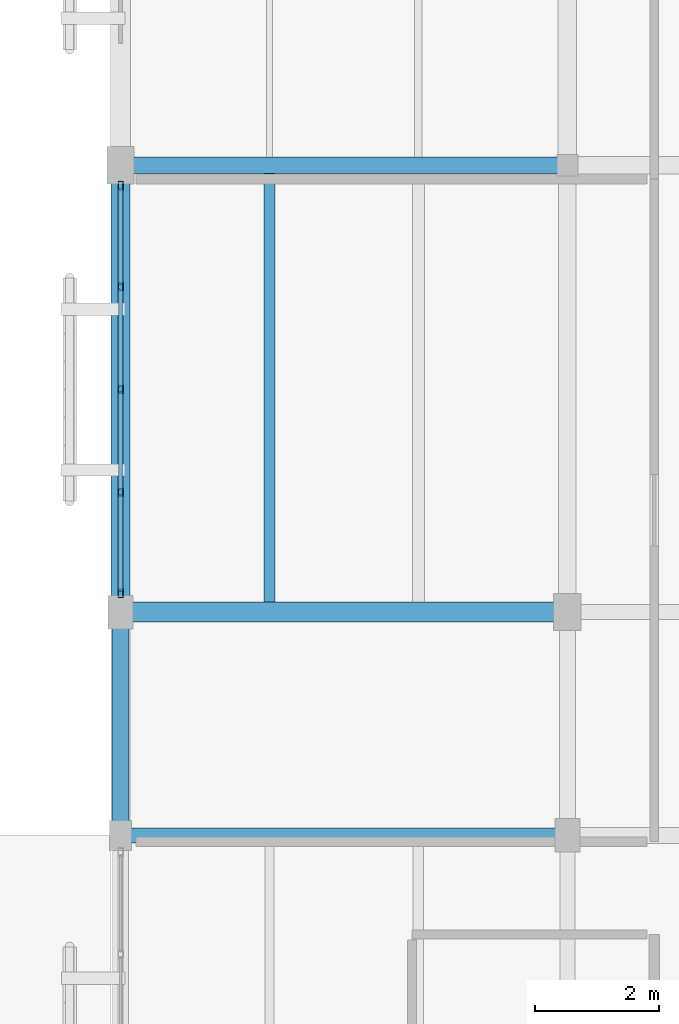
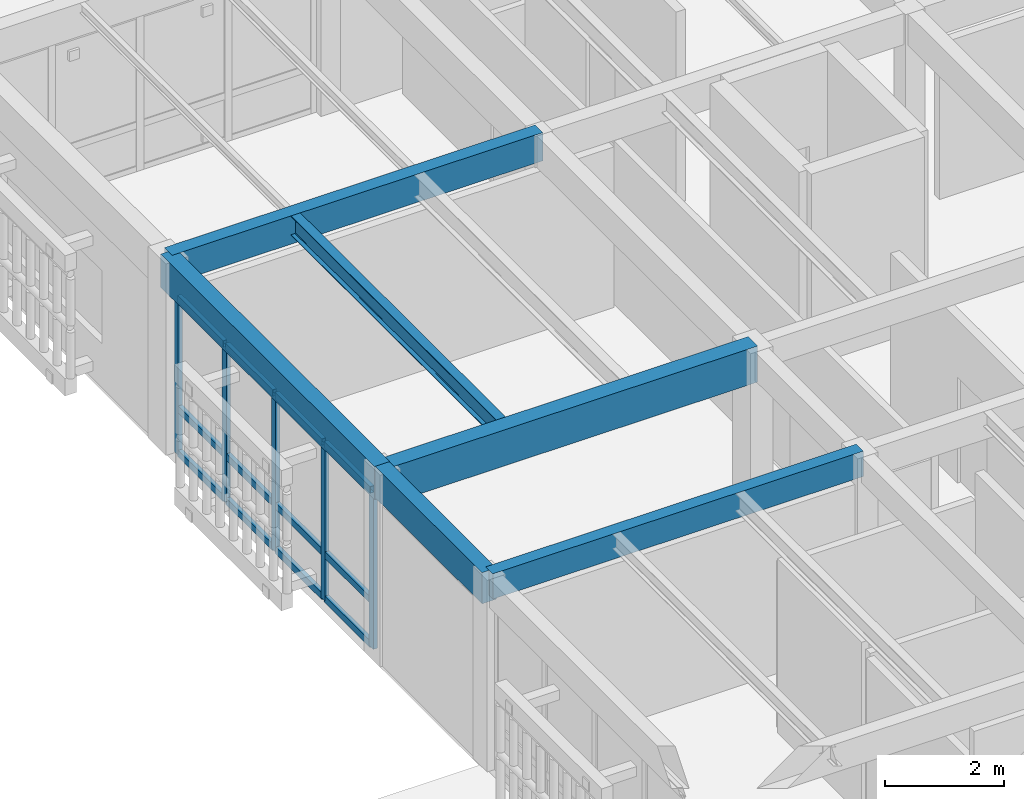
# One storey, part 51 of 112: 17 members, 6 beams, 1 element without a shape of its own.
"""IFC4 building model written with IfcOpenShell, lengths in metres."""

import ifcopenshell
import ifcopenshell.guid

model = None  # the IFC model being written
_history = None  # IfcOwnerHistory: only IFC2X3 demands one
_inside = {}  # id of a spatial element -> (the spatial element, [elements in it])
_under = {}  # id of a project, library or spatial element -> (it, [spatial elements below it])
_declared = {}  # id of a project -> (the project, [libraries it declares])
_typed = {}  # id of a type object -> (the type object, [elements of that type])
_made_of = {}  # id of a material, layer set ... -> (it, [elements and type objects made of it])


def new_model(schema):
    """Start an empty IFC model of exactly this schema.

    Asked for "IFC4X3", IfcOpenShell would pick the latest addendum, in which some entities
    have other attributes; the version numbers below select the first issue.
    IFC2X3 requires an IfcOwnerHistory on every rooted entity: one is made here for all.
    """
    global model, _history
    if schema == "IFC4X3":
        model = ifcopenshell.file(schema_version=(4, 3, 0, 0))
    else:
        model = ifcopenshell.file(schema=schema)
    _inside.clear()
    _under.clear()
    _declared.clear()
    _typed.clear()
    _made_of.clear()
    _history = None
    if model.schema == "IFC2X3":
        org = make("IfcOrganization", Name="unknown")
        user = make(
            "IfcPersonAndOrganization",
            ThePerson=make("IfcPerson", FamilyName="unknown"),
            TheOrganization=org,
        )
        app = make(
            "IfcApplication",
            ApplicationDeveloper=org,
            Version="unknown",
            ApplicationFullName="unknown",
            ApplicationIdentifier="unknown",
        )
        _history = make(
            "IfcOwnerHistory",
            OwningUser=user,
            OwningApplication=app,
            ChangeAction="ADDED",
            CreationDate=0,
        )
    return model


def make(cls, **values):
    """One entity of the class cls with the attributes given. An attribute that is None is left unset."""
    return model.create_entity(
        cls, **{name: value for name, value in values.items() if value is not None}
    )


def rooted(cls, **values):
    """An entity with a GlobalId (a new one), such as an element, a storey or a relation."""
    return make(cls, GlobalId=ifcopenshell.guid.new(), OwnerHistory=_history, **values)


def si_unit(unit_type, name, prefix=None):
    """IfcSIUnit, for example si_unit("LENGTHUNIT", "METRE", prefix="MILLI")."""
    return make("IfcSIUnit", UnitType=unit_type, Prefix=prefix, Name=name)


def assignment(units):
    """IfcUnitAssignment: the units of a project."""
    return None if units is None else make("IfcUnitAssignment", Units=units)


def point(xyz):
    """IfcCartesianPoint."""
    return None if xyz is None else make("IfcCartesianPoint", Coordinates=xyz)


def direction(xyz):
    """IfcDirection."""
    return None if xyz is None else make("IfcDirection", DirectionRatios=xyz)


def frame(location, z_axis=None, x_axis=None):
    """IfcAxis2Placement3D, a coordinate frame: its origin and axes. An axis left out is left unset."""
    return make(
        "IfcAxis2Placement3D",
        Location=point(location),
        Axis=direction(z_axis),
        RefDirection=direction(x_axis),
    )


def frame_2d(location, x_axis=None):
    """IfcAxis2Placement2D, a coordinate frame in the plane: its origin and x axis."""
    return make(
        "IfcAxis2Placement2D", Location=point(location), RefDirection=direction(x_axis)
    )


def origin():
    """The frame at (0, 0, 0) with its axes left unset."""
    return frame((0.0, 0.0, 0.0))


def origin_2d():
    """The frame at (0, 0) in the plane with its x axis left unset."""
    return frame_2d((0.0, 0.0))


def place(relative_to, where):
    """IfcLocalPlacement: puts the frame where relative to a parent placement (None: the world)."""
    return make(
        "IfcLocalPlacement", PlacementRelTo=relative_to, RelativePlacement=where
    )


def context(
    kind, dimensions, precision=None, world=None, true_north=None, identifier=None
):
    """IfcGeometricRepresentationContext, for example the 3D "Model" context."""
    return make(
        "IfcGeometricRepresentationContext",
        ContextIdentifier=identifier,
        ContextType=kind,
        CoordinateSpaceDimension=dimensions,
        Precision=precision,
        WorldCoordinateSystem=world,
        TrueNorth=true_north,
    )


def subcontext(parent, identifier, kind, view, scale=None):
    """IfcGeometricRepresentationSubContext, for example "Body" below "Model"."""
    return make(
        "IfcGeometricRepresentationSubContext",
        ContextIdentifier=identifier,
        ContextType=kind,
        ParentContext=parent,
        TargetScale=scale,
        TargetView=view,
    )


def project(units=None, contexts=None):
    """IfcProject with its units and contexts."""
    return rooted(
        "IfcProject",
        Name="project",
        RepresentationContexts=contexts,
        UnitsInContext=assignment(units),
    )


def spatial(cls, under=None, at=None, **own):
    """A site, building, storey or space (cls), placed at a placement, below another one or the project."""
    s = rooted(cls, ObjectPlacement=at, **own)
    if under is not None:
        _under.setdefault(under.id(), (under, []))[1].append(s)
    return s


def profile(cls, at=None, kind="AREA", **sizes):
    """A parametric profile (cls). Its sizes go by their IFC names, for example OverallWidth=200.0."""
    return make(cls, ProfileType=kind, Position=at, **sizes)


def rectangle(**sizes):
    """IfcRectangleProfileDef."""
    return profile("IfcRectangleProfileDef", **sizes)


def hollow_rectangle(**sizes):
    """IfcRectangleHollowProfileDef."""
    return profile("IfcRectangleHollowProfileDef", **sizes)


def i_section(**sizes):
    """IfcIShapeProfileDef."""
    return profile("IfcIShapeProfileDef", **sizes)


def extrude(swept, where, along, depth):
    """IfcExtrudedAreaSolid: the profile swept, set in the frame where, extruded along a direction by depth."""
    return make(
        "IfcExtrudedAreaSolid",
        SweptArea=swept,
        Position=where,
        ExtrudedDirection=direction(along),
        Depth=depth,
    )


def shape(context_of_items, identifier, shape_type, items):
    """IfcShapeRepresentation: the items that make up one representation, for example the "Body"."""
    return make(
        "IfcShapeRepresentation",
        ContextOfItems=context_of_items,
        RepresentationIdentifier=identifier,
        RepresentationType=shape_type,
        Items=items,
    )


def material(Name=None, Category=None):
    """IfcMaterial."""
    return make("IfcMaterial", Name=Name, Category=Category)


def layer(
    of_material, thickness, ventilated=None, Name=None, Category=None, Priority=None
):
    """IfcMaterialLayer: one layer of a wall or slab, of a material (None: an air gap)."""
    return make(
        "IfcMaterialLayer",
        Material=of_material,
        LayerThickness=thickness,
        IsVentilated=ventilated,
        Name=Name,
        Category=Category,
        Priority=Priority,
    )


def layer_set(layers, Name=None):
    """IfcMaterialLayerSet."""
    return make("IfcMaterialLayerSet", MaterialLayers=layers, LayerSetName=Name)


def material_profile(
    of_material, cross_section, Name=None, Category=None, Priority=None
):
    """IfcMaterialProfile: a cross section and its material."""
    return make(
        "IfcMaterialProfile",
        Name=Name,
        Material=of_material,
        Profile=cross_section,
        Priority=Priority,
        Category=Category,
    )


def profile_set(profiles, Name=None, composite=None):
    """IfcMaterialProfileSet."""
    return make(
        "IfcMaterialProfileSet",
        Name=Name,
        MaterialProfiles=profiles,
        CompositeProfile=composite,
    )


def made_of(thing, what):
    """Note that an element or type object is made of a material, layer set ...; save() writes the relation."""
    if what is not None:
        _made_of.setdefault(what.id(), (what, []))[1].append(thing)
    return thing


def type_object(cls, material=None, **own):
    """A type object (cls), such as IfcWallType, which elements share."""
    return made_of(rooted(cls, **own), material)


def element(
    cls,
    number,
    at=None,
    inside=None,
    cuts=None,
    type_object=None,
    material=None,
    context=None,
    identifier="Body",
    shape_type=None,
    held_by="IfcProductDefinitionShape",
    body=None,
    shapes=None,
    **own,
):
    """One element of the class cls, such as IfcWall. Its Tag is "e" and its number.

    at: its placement. inside: the storey or other place that contains it. cuts: it is an
    opening in that element (IfcRelVoidsElement). A single representation is given by context,
    identifier, shape_type and body (its items); several are given by shapes. held_by: the class
    of the entity that holds the representations. save() writes the other relations.
    """
    e = rooted(cls, Tag="e%d" % number, ObjectPlacement=at, **own)
    if body is not None:
        shapes = [shape(context, identifier, shape_type, body)]
    if shapes is not None:
        e.Representation = make(held_by, Representations=shapes)
    if inside is not None:
        _inside.setdefault(inside.id(), (inside, []))[1].append(e)
    if cuts is not None:
        rooted(
            "IfcRelVoidsElement", RelatingBuildingElement=cuts, RelatedOpeningElement=e
        )
    if type_object is not None:
        _typed.setdefault(type_object.id(), (type_object, []))[1].append(e)
    return made_of(e, material)


def aggregate(whole, parts):
    """IfcRelAggregates: a whole, such as a stair, and the parts it consists of."""
    return rooted("IfcRelAggregates", RelatingObject=whole, RelatedObjects=parts)


def save(model, path):
    """Write the relations noted so far, then the file.

    IfcRelAggregates (storeys below a building ...), IfcRelContainedInSpatialStructure (elements
    in a storey), IfcRelDefinesByType, IfcRelAssociatesMaterial and IfcRelDeclares: one each for
    every whole, place, type object, material and project.
    """
    for whole, parts in _under.values():
        aggregate(whole, parts)
    for where, things in _inside.values():
        rooted(
            "IfcRelContainedInSpatialStructure",
            RelatedElements=things,
            RelatingStructure=where,
        )
    for kind, things in _typed.values():
        rooted("IfcRelDefinesByType", RelatedObjects=things, RelatingType=kind)
    for what, things in _made_of.values():
        rooted("IfcRelAssociatesMaterial", RelatedObjects=things, RelatingMaterial=what)
    for by, libraries in _declared.values():
        rooted("IfcRelDeclares", RelatingContext=by, RelatedDefinitions=libraries)
    model.write(path)


model = new_model("IFC4")

# Units and contexts
model_context = context("Model", 3, precision=1e-05, world=origin(), true_north=direction((0.0, 1.0)))
body_context = subcontext(model_context, "Body", "Model", "MODEL_VIEW")
ifc_project = project(units=[si_unit("LENGTHUNIT", "METRE"), si_unit("AREAUNIT", "SQUARE_METRE"), si_unit("VOLUMEUNIT", "CUBIC_METRE"), si_unit("PLANEANGLEUNIT", "RADIAN"), si_unit("MASSUNIT", "GRAM", prefix="KILO")], contexts=[model_context])

# Site, building, storey
site_placement = place(None, origin())
site = spatial("IfcSite", under=ifc_project, at=site_placement, CompositionType="ELEMENT")
building_placement = place(site_placement, origin())
building = spatial("IfcBuilding", under=site, at=building_placement, Name="Mazaris Harbour Polytechnic", CompositionType="ELEMENT")
storey_placement = place(building_placement, frame((0.0, 0.0, 13.800048828125)))
storey = spatial("IfcBuildingStorey", under=building, at=storey_placement, Name="L03", CompositionType="ELEMENT", Elevation=13.800048828125)

# Curtain wall, members
ifc_material_1 = material(Name="Anodised Bronze Aluminium and Low-E Glass", Category="aluminium")
ifc_layer = layer(ifc_material_1, 0.169921875, Name="Anodised Bronze Aluminium and Low-E Glass")
ifc_layer_set = layer_set([ifc_layer], Name="Anodised Bronze Aluminium and Low-E Glass")
curtain_wall_type = type_object("IfcCurtainWallType", Name="Studio North-Light Curtain Wall", PredefinedType="NOTDEFINED", material=ifc_layer_set)
curtain_wall_placement = place(storey_placement, origin())
curtain_wall = element("IfcCurtainWall", 1, at=curtain_wall_placement, inside=storey, type_object=curtain_wall_type, Name="V5 L03 Curtain Wall 256", PredefinedType="NOTDEFINED")
ifc_material_2 = material(Name="Anodised Bronze Steel S355", Category="steel")
ifc_material_profile_1 = material_profile(ifc_material_2, hollow_rectangle(XDim=0.080078125, YDim=0.139892578125, WallThickness=0.00634765625, at=origin_2d()), Name="RHS 80x140x6.3")
ifc_profile_set_1 = profile_set([ifc_material_profile_1], Name="Anodised Bronze Steel S355")
member_type_1 = type_object("IfcMemberType", Name="Curtain Mullion RHS80x140", PredefinedType="MULLION", material=ifc_profile_set_1)
member_1_placement = place(storey_placement, frame((122.39990234375, 86.701904296875, 0.0), z_axis=(0.0, 0.0, 1.0), x_axis=(-1.0, 0.0, 0.0)))
member_1 = element("IfcMember", 2, at=member_1_placement, type_object=member_type_1, Name="CW-03 mullion 1", PredefinedType="MULLION", context=body_context, shape_type="SweptSolid", body=[
    extrude(hollow_rectangle(XDim=0.080078125, YDim=0.139892578125, WallThickness=0.00634765625, at=origin_2d()), origin(), (0.0, 0.0, 1.0), 3.244873046875),
])
member_2_placement = place(storey_placement, frame((122.39990234375, 88.323486328125, 0.0), z_axis=(0.0, 0.0, 1.0), x_axis=(-1.0, 0.0, 0.0)))
member_2 = element("IfcMember", 3, at=member_2_placement, type_object=member_type_1, Name="CW-03 mullion 2", PredefinedType="MULLION", context=body_context, shape_type="SweptSolid", body=[
    extrude(hollow_rectangle(XDim=0.080078125, YDim=0.139892578125, WallThickness=0.00634765625, at=origin_2d()), origin(), (0.0, 0.0, 1.0), 3.244873046875),
])
member_3_placement = place(storey_placement, frame((122.39990234375, 89.985107421875, 0.0), z_axis=(0.0, 0.0, 1.0), x_axis=(-1.0, 0.0, 0.0)))
member_3 = element("IfcMember", 4, at=member_3_placement, type_object=member_type_1, Name="CW-03 mullion 3", PredefinedType="MULLION", context=body_context, shape_type="SweptSolid", body=[
    extrude(hollow_rectangle(XDim=0.080078125, YDim=0.139892578125, WallThickness=0.00634765625, at=origin_2d()), origin(), (0.0, 0.0, 1.0), 3.244873046875),
])
member_4_placement = place(storey_placement, frame((122.39990234375, 91.646484375, 0.0), z_axis=(0.0, 0.0, 1.0), x_axis=(-1.0, 0.0, 0.0)))
member_4 = element("IfcMember", 5, at=member_4_placement, type_object=member_type_1, Name="CW-03 mullion 4", PredefinedType="MULLION", context=body_context, shape_type="SweptSolid", body=[
    extrude(hollow_rectangle(XDim=0.080078125, YDim=0.139892578125, WallThickness=0.00634765625, at=origin_2d()), origin(), (0.0, 0.0, 1.0), 3.244873046875),
])
member_5_placement = place(storey_placement, frame((122.39990234375, 93.26806640625, 0.0), z_axis=(0.0, 0.0, 1.0), x_axis=(-1.0, 0.0, 0.0)))
member_5 = element("IfcMember", 6, at=member_5_placement, type_object=member_type_1, Name="CW-03 mullion 5", PredefinedType="MULLION", context=body_context, shape_type="SweptSolid", body=[
    extrude(hollow_rectangle(XDim=0.080078125, YDim=0.139892578125, WallThickness=0.00634765625, at=origin_2d()), origin(), (0.0, 0.0, 1.0), 3.244873046875),
])
ifc_material_3 = material(Name="Anodised Bronze Steel S355", Category="steel")
ifc_material_profile_2 = material_profile(ifc_material_3, hollow_rectangle(XDim=0.080078125, YDim=0.139892578125, WallThickness=0.00634765625, at=origin_2d()), Name="RHS 80x140x6.3")
ifc_profile_set_2 = profile_set([ifc_material_profile_2], Name="Anodised Bronze Steel S355")
member_type_2 = type_object("IfcMemberType", Name="Curtain Transom RHS80x140", PredefinedType="USERDEFINED", material=ifc_profile_set_2)
member_6_placement = place(storey_placement, frame((122.39990234375, 86.741943359375, 0.0400390625), z_axis=(0.0, 1.0, 0.0), x_axis=(-1.0, 0.0, 0.0)))
member_6 = element("IfcMember", 7, at=member_6_placement, type_object=member_type_2, Name="CW-03 transom 1.1", ObjectType="TRANSOM", PredefinedType="USERDEFINED", context=body_context, shape_type="SweptSolid", body=[
    extrude(hollow_rectangle(XDim=0.080078125, YDim=0.139892578125, WallThickness=0.00634765625, at=origin_2d()), origin(), (0.0, 0.0, 1.0), 1.54150390625),
])
member_7_placement = place(storey_placement, frame((122.39990234375, 86.741943359375, 0.949951171875), z_axis=(0.0, 1.0, 0.0), x_axis=(-1.0, 0.0, 0.0)))
member_7 = element("IfcMember", 8, at=member_7_placement, type_object=member_type_2, Name="CW-03 transom 1.2", ObjectType="TRANSOM", PredefinedType="USERDEFINED", context=body_context, shape_type="SweptSolid", body=[
    extrude(hollow_rectangle(XDim=0.080078125, YDim=0.139892578125, WallThickness=0.00634765625, at=origin_2d()), origin(), (0.0, 0.0, 1.0), 1.54150390625),
])
member_8_placement = place(storey_placement, frame((122.39990234375, 86.741943359375, 3.204833984375), z_axis=(0.0, 1.0, 0.0), x_axis=(-1.0, 0.0, 0.0)))
member_8 = element("IfcMember", 9, at=member_8_placement, type_object=member_type_2, Name="CW-03 transom 1.3", ObjectType="TRANSOM", PredefinedType="USERDEFINED", context=body_context, shape_type="SweptSolid", body=[
    extrude(hollow_rectangle(XDim=0.080078125, YDim=0.139892578125, WallThickness=0.00634765625, at=origin_2d()), origin(), (0.0, 0.0, 1.0), 1.54150390625),
])
member_9_placement = place(storey_placement, frame((122.39990234375, 88.363525390625, 0.0400390625), z_axis=(0.0, 1.0, 0.0), x_axis=(-1.0, 0.0, 0.0)))
member_9 = element("IfcMember", 10, at=member_9_placement, type_object=member_type_2, Name="CW-03 transom 2.1", ObjectType="TRANSOM", PredefinedType="USERDEFINED", context=body_context, shape_type="SweptSolid", body=[
    extrude(hollow_rectangle(XDim=0.080078125, YDim=0.139892578125, WallThickness=0.00634765625, at=origin_2d()), origin(), (0.0, 0.0, 1.0), 1.58154296875),
])
member_10_placement = place(storey_placement, frame((122.39990234375, 88.363525390625, 0.949951171875), z_axis=(0.0, 1.0, 0.0), x_axis=(-1.0, 0.0, 0.0)))
member_10 = element("IfcMember", 11, at=member_10_placement, type_object=member_type_2, Name="CW-03 transom 2.2", ObjectType="TRANSOM", PredefinedType="USERDEFINED", context=body_context, shape_type="SweptSolid", body=[
    extrude(hollow_rectangle(XDim=0.080078125, YDim=0.139892578125, WallThickness=0.00634765625, at=origin_2d()), origin(), (0.0, 0.0, 1.0), 1.58154296875),
])
member_11_placement = place(storey_placement, frame((122.39990234375, 88.363525390625, 3.204833984375), z_axis=(0.0, 1.0, 0.0), x_axis=(-1.0, 0.0, 0.0)))
member_11 = element("IfcMember", 12, at=member_11_placement, type_object=member_type_2, Name="CW-03 transom 2.3", ObjectType="TRANSOM", PredefinedType="USERDEFINED", context=body_context, shape_type="SweptSolid", body=[
    extrude(hollow_rectangle(XDim=0.080078125, YDim=0.139892578125, WallThickness=0.00634765625, at=origin_2d()), origin(), (0.0, 0.0, 1.0), 1.58154296875),
])
member_12_placement = place(storey_placement, frame((122.39990234375, 90.02490234375, 0.0400390625), z_axis=(0.0, 1.0, 0.0), x_axis=(-1.0, 0.0, 0.0)))
member_12 = element("IfcMember", 13, at=member_12_placement, type_object=member_type_2, Name="CW-03 transom 3.1", ObjectType="TRANSOM", PredefinedType="USERDEFINED", context=body_context, shape_type="SweptSolid", body=[
    extrude(hollow_rectangle(XDim=0.080078125, YDim=0.139892578125, WallThickness=0.00634765625, at=origin_2d()), origin(), (0.0, 0.0, 1.0), 1.58154296875),
])
member_13_placement = place(storey_placement, frame((122.39990234375, 90.02490234375, 0.949951171875), z_axis=(0.0, 1.0, 0.0), x_axis=(-1.0, 0.0, 0.0)))
member_13 = element("IfcMember", 14, at=member_13_placement, type_object=member_type_2, Name="CW-03 transom 3.2", ObjectType="TRANSOM", PredefinedType="USERDEFINED", context=body_context, shape_type="SweptSolid", body=[
    extrude(hollow_rectangle(XDim=0.080078125, YDim=0.139892578125, WallThickness=0.00634765625, at=origin_2d()), origin(), (0.0, 0.0, 1.0), 1.58154296875),
])
member_14_placement = place(storey_placement, frame((122.39990234375, 90.02490234375, 3.204833984375), z_axis=(0.0, 1.0, 0.0), x_axis=(-1.0, 0.0, 0.0)))
member_14 = element("IfcMember", 15, at=member_14_placement, type_object=member_type_2, Name="CW-03 transom 3.3", ObjectType="TRANSOM", PredefinedType="USERDEFINED", context=body_context, shape_type="SweptSolid", body=[
    extrude(hollow_rectangle(XDim=0.080078125, YDim=0.139892578125, WallThickness=0.00634765625, at=origin_2d()), origin(), (0.0, 0.0, 1.0), 1.58154296875),
])
member_15_placement = place(storey_placement, frame((122.39990234375, 91.6865234375, 0.0400390625), z_axis=(0.0, 1.0, 0.0), x_axis=(-1.0, 0.0, 0.0)))
member_15 = element("IfcMember", 16, at=member_15_placement, type_object=member_type_2, Name="CW-03 transom 4.1", ObjectType="TRANSOM", PredefinedType="USERDEFINED", context=body_context, shape_type="SweptSolid", body=[
    extrude(hollow_rectangle(XDim=0.080078125, YDim=0.139892578125, WallThickness=0.00634765625, at=origin_2d()), origin(), (0.0, 0.0, 1.0), 1.54150390625),
])
member_16_placement = place(storey_placement, frame((122.39990234375, 91.6865234375, 0.949951171875), z_axis=(0.0, 1.0, 0.0), x_axis=(-1.0, 0.0, 0.0)))
member_16 = element("IfcMember", 17, at=member_16_placement, type_object=member_type_2, Name="CW-03 transom 4.2", ObjectType="TRANSOM", PredefinedType="USERDEFINED", context=body_context, shape_type="SweptSolid", body=[
    extrude(hollow_rectangle(XDim=0.080078125, YDim=0.139892578125, WallThickness=0.00634765625, at=origin_2d()), origin(), (0.0, 0.0, 1.0), 1.54150390625),
])
member_17_placement = place(storey_placement, frame((122.39990234375, 91.6865234375, 3.204833984375), z_axis=(0.0, 1.0, 0.0), x_axis=(-1.0, 0.0, 0.0)))
member_17 = element("IfcMember", 18, at=member_17_placement, type_object=member_type_2, Name="CW-03 transom 4.3", ObjectType="TRANSOM", PredefinedType="USERDEFINED", context=body_context, shape_type="SweptSolid", body=[
    extrude(hollow_rectangle(XDim=0.080078125, YDim=0.139892578125, WallThickness=0.00634765625, at=origin_2d()), origin(), (0.0, 0.0, 1.0), 1.54150390625),
])
aggregate(curtain_wall, [member_1, member_2, member_3, member_4, member_5, member_6, member_7, member_8, member_9, member_10, member_11, member_12, member_13, member_14, member_15, member_16, member_17])

# Beams
ifc_material_4 = material(Name="Glulam GL32h", Category="wood")
ifc_material_profile_3 = material_profile(ifc_material_4, rectangle(XDim=0.239990234375, YDim=0.52001953125, at=origin_2d()), Name="RECT240x520")
ifc_profile_set_3 = profile_set([ifc_material_profile_3], Name="Glulam GL32h")
beam_type_1 = type_object("IfcBeamType", Name="Glulam Girder 240x520", PredefinedType="BEAM", material=ifc_profile_set_3)
beam_1_placement = place(storey_placement, frame((122.39990234375, 82.800048828125, 3.675048828125), z_axis=(1.0, 0.0, 0.0), x_axis=(0.0, 1.0, 0.0)))
element("IfcBeam", 19, at=beam_1_placement, inside=storey, type_object=beam_type_1, Name="V5 L03 Girder 3305", PredefinedType="BEAM", context=body_context, shape_type="SweptSolid", body=[
    extrude(rectangle(XDim=0.239990234375, YDim=0.52001953125, at=origin_2d()), origin(), (0.0, 0.0, 1.0), 7.2001953125),
])
ifc_material_5 = material(Name="Glulam GL32h", Category="wood")
ifc_material_profile_4 = material_profile(ifc_material_5, rectangle(XDim=0.260009765625, YDim=0.580078125, at=origin_2d()), Name="RECT260x580")
ifc_profile_set_4 = profile_set([ifc_material_profile_4], Name="Glulam GL32h")
beam_type_2 = type_object("IfcBeamType", Name="Glulam Girder 260x580", PredefinedType="BEAM", material=ifc_profile_set_4)
beam_2_placement = place(storey_placement, frame((122.39990234375, 93.60009765625, 3.64501953125), z_axis=(1.0, 0.0, 0.0), x_axis=(0.0, 1.0, 0.0)))
element("IfcBeam", 20, at=beam_2_placement, inside=storey, type_object=beam_type_2, Name="V5 L03 Girder 3316", PredefinedType="BEAM", context=body_context, shape_type="SweptSolid", body=[
    extrude(rectangle(XDim=0.260009765625, YDim=0.580078125, at=origin_2d()), origin(), (0.0, 0.0, 1.0), 7.2001953125),
])
ifc_material_6 = material(Name="Glulam GL32h", Category="wood")
ifc_material_profile_5 = material_profile(ifc_material_6, rectangle(XDim=0.280029296875, YDim=0.639892578125, at=origin_2d()), Name="RECT280x640")
ifc_profile_set_5 = profile_set([ifc_material_profile_5], Name="Glulam GL32h")
beam_type_3 = type_object("IfcBeamType", Name="Glulam Girder 280x640 Exterior", PredefinedType="BEAM", material=ifc_profile_set_5)
beam_3_placement = place(storey_placement, frame((122.39990234375, 82.800048828125, 3.614990234375), z_axis=(0.0, 1.0, 0.0), x_axis=(-1.0, 0.0, 0.0)))
element("IfcBeam", 21, at=beam_3_placement, inside=storey, type_object=beam_type_3, Name="V5 L03 Tie Girder 3332", PredefinedType="BEAM", context=body_context, shape_type="SweptSolid", body=[
    extrude(rectangle(XDim=0.280029296875, YDim=0.639892578125, at=origin_2d()), origin(), (0.0, 0.0, 1.0), 3.599853515625),
])
ifc_material_7 = material(Name="Glulam GL32h", Category="wood")
ifc_material_profile_6 = material_profile(ifc_material_7, rectangle(XDim=0.300048828125, YDim=0.679931640625, at=origin_2d()), Name="RECT300x680")
ifc_profile_set_6 = profile_set([ifc_material_profile_6], Name="Glulam GL32h")
beam_type_4 = type_object("IfcBeamType", Name="Glulam Girder 300x680 Exterior", PredefinedType="BEAM", material=ifc_profile_set_6)
beam_4_placement = place(storey_placement, frame((122.39990234375, 86.39990234375, 3.594970703125), z_axis=(0.0, 1.0, 0.0), x_axis=(-1.0, 0.0, 0.0)))
element("IfcBeam", 22, at=beam_4_placement, inside=storey, type_object=beam_type_4, Name="V5 L03 Tie Girder 3333", PredefinedType="BEAM", context=body_context, shape_type="SweptSolid", body=[
    extrude(rectangle(XDim=0.300048828125, YDim=0.679931640625, at=origin_2d()), origin(), (0.0, 0.0, 1.0), 7.2001953125),
])
ifc_material_8 = material(Name="Glulam GL32h", Category="wood")
ifc_material_profile_7 = material_profile(ifc_material_8, rectangle(XDim=0.320068359375, YDim=0.739990234375, at=origin_2d()), Name="RECT320x740")
ifc_profile_set_7 = profile_set([ifc_material_profile_7], Name="Glulam GL32h")
beam_type_5 = type_object("IfcBeamType", Name="Glulam Girder 320x740", PredefinedType="BEAM", material=ifc_profile_set_7)
beam_5_placement = place(storey_placement, frame((122.39990234375, 86.39990234375, 3.56494140625), z_axis=(1.0, 0.0, 0.0), x_axis=(0.0, 1.0, 0.0)))
element("IfcBeam", 23, at=beam_5_placement, inside=storey, type_object=beam_type_5, Name="V5 L03 Girder 3309", PredefinedType="BEAM", context=body_context, shape_type="SweptSolid", body=[
    extrude(rectangle(XDim=0.320068359375, YDim=0.739990234375, at=origin_2d()), origin(), (0.0, 0.0, 1.0), 7.2001953125),
])
ifc_material_9 = material(Name="Steel S355", Category="steel")
ifc_material_profile_8 = material_profile(ifc_material_9, i_section(OverallWidth=0.179931640625, OverallDepth=0.39990234375, WebThickness=0.008544921875, FlangeThickness=0.013427734375, FilletRadius=0.02099609375, at=origin_2d()), Name="IPE 400")
ifc_profile_set_8 = profile_set([ifc_material_profile_8], Name="Steel S355")
beam_type_6 = type_object("IfcBeamType", Name="Steel Joist IPE400", PredefinedType="JOIST", material=ifc_profile_set_8)
beam_6_placement = place(storey_placement, frame((124.800048828125, 86.56005859375, 3.73486328125), z_axis=(0.0, 1.0, 0.0), x_axis=(-1.0, 0.0, 0.0)))
element("IfcBeam", 24, at=beam_6_placement, inside=storey, type_object=beam_type_6, Name="V5 L03 Floor Joist 3365", PredefinedType="JOIST", context=body_context, shape_type="SweptSolid", body=[
    extrude(i_section(OverallWidth=0.179931640625, OverallDepth=0.39990234375, WebThickness=0.008544921875, FlangeThickness=0.013427734375, FilletRadius=0.02099609375, at=origin_2d()), origin(), (0.0, 0.0, 1.0), 6.909912109375),
])

save(model, "model.ifc")
